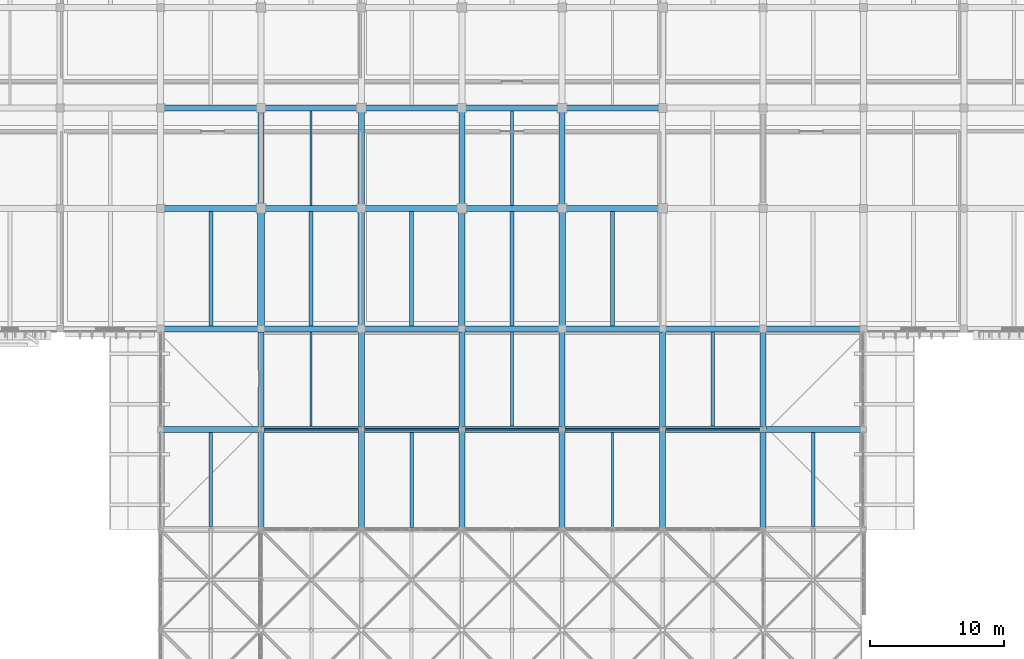
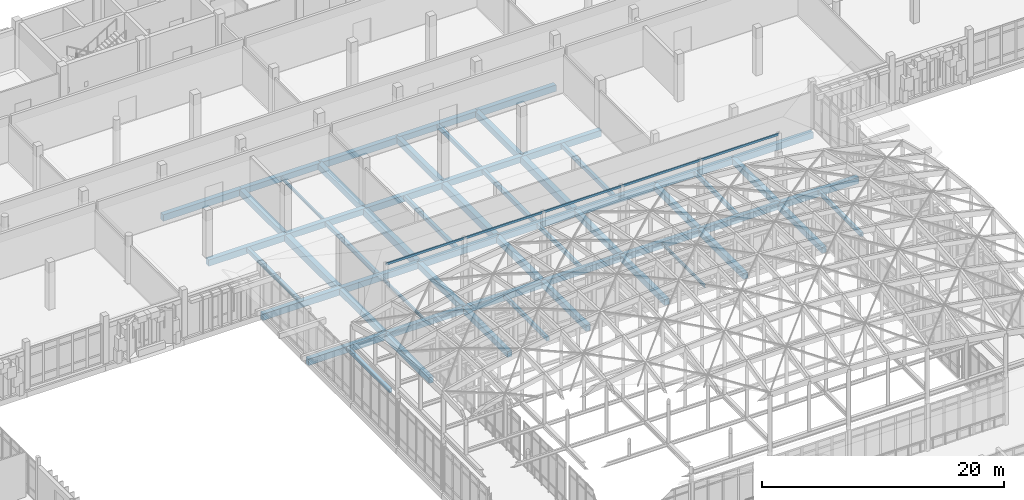
# One storey, part 58 of 131: 58 beams, 5 members.
"""IFC4 building model written with IfcOpenShell, lengths in metres."""

from ifc_helpers import new_model, si_unit, direction, frame, origin, origin_2d, place, context, subcontext, project, spatial, rectangle, hollow_rectangle, i_section, extrude, material, material_profile, profile_set, type_object, element, save


model = new_model("IFC4")

# Units and contexts
model_context = context("Model", 3, precision=1e-05, world=origin(), true_north=direction((0.0, 1.0)))
body_context = subcontext(model_context, "Body", "Model", "MODEL_VIEW")
ifc_project = project(units=[si_unit("LENGTHUNIT", "METRE"), si_unit("AREAUNIT", "SQUARE_METRE"), si_unit("VOLUMEUNIT", "CUBIC_METRE"), si_unit("PLANEANGLEUNIT", "RADIAN"), si_unit("MASSUNIT", "GRAM", prefix="KILO")], contexts=[model_context])

# Site, building, storey
site_placement = place(None, origin())
site = spatial("IfcSite", under=ifc_project, at=site_placement, CompositionType="ELEMENT")
building_placement = place(site_placement, origin())
building = spatial("IfcBuilding", under=site, at=building_placement, Name="Dalvernix Boulevard General Hospital", CompositionType="ELEMENT")
storey_placement = place(building_placement, frame((0.0, 0.0, 9.300048828125)))
storey = spatial("IfcBuildingStorey", under=building, at=storey_placement, Name="L02", CompositionType="ELEMENT", Elevation=9.300048828125)

# Beams
ifc_material_1 = material(Name="Concrete C35/45", Category="concrete")
ifc_material_profile_1 = material_profile(ifc_material_1, rectangle(XDim=0.5, YDim=0.699951171875, at=origin_2d()), Name="RCB 500x700")
ifc_profile_set_1 = profile_set([ifc_material_profile_1], Name="Concrete C35/45")
beam_type_1 = type_object("IfcBeamType", Name="BM-B-01-I", PredefinedType="BEAM", material=ifc_profile_set_1)
for number, where, z_axis, x_axis, name in (
    (1, (67.5, 76.5, -0.670166015625), (0.0, 1.0, 0.0), (-1.0, 0.0, 0.0), "L02 N-S girder 10:L-M"),
    (2, (75.0, 76.5, -0.670166015625), (0.0, 1.0, 0.0), (-1.0, 0.0, 0.0), "L02 N-S girder 11:L-M"),
    (3, (82.5, 76.5, -0.670166015625), (0.0, 1.0, 0.0), (-1.0, 0.0, 0.0), "L02 N-S girder 12:L-M"),
    (4, (90.0, 76.5, -0.670166015625), (0.0, 1.0, 0.0), (-1.0, 0.0, 0.0), "L02 N-S girder 13:L-M"),
):
    element("IfcBeam", number, at=place(storey_placement, frame(where, z_axis=z_axis, x_axis=x_axis)), inside=storey, type_object=beam_type_1, Name=name, PredefinedType="BEAM", context=body_context, shape_type="SweptSolid", body=[
        extrude(rectangle(XDim=0.5, YDim=0.699951171875, at=origin_2d()), origin(), (0.0, 0.0, 1.0), 9.0),
    ])
ifc_material_profile_2 = material_profile(ifc_material_1, rectangle(XDim=0.449951171875, YDim=0.64990234375, at=origin_2d()), Name="RCB 450x650")
ifc_profile_set_2 = profile_set([ifc_material_profile_2], Name="Concrete C35/45")
beam_type_2 = type_object("IfcBeamType", Name="BM-B-03-I", PredefinedType="BEAM", material=ifc_profile_set_2)
for number, where, z_axis, x_axis, name in (
    (5, (60.0, 69.0, -0.64501953125), (1.0, 0.0, 0.0), (0.0, 1.0, 0.0), "L02 E-W girder K:9-10"),
    (6, (75.0, 69.0, -0.64501953125), (1.0, 0.0, 0.0), (0.0, 1.0, 0.0), "L02 E-W girder K:11-12"),
    (7, (90.0, 69.0, -0.64501953125), (1.0, 0.0, 0.0), (0.0, 1.0, 0.0), "L02 E-W girder K:13-14"),
    (8, (105.0, 69.0, -0.64501953125), (1.0, 0.0, 0.0), (0.0, 1.0, 0.0), "L02 E-W girder K:15-16"),
    (9, (60.0, 76.5, -0.64501953125), (1.0, 0.0, 0.0), (0.0, 1.0, 0.0), "L02 E-W girder L:9-10"),
    (10, (75.0, 76.5, -0.64501953125), (1.0, 0.0, 0.0), (0.0, 1.0, 0.0), "L02 E-W girder L:11-12"),
    (11, (90.0, 76.5, -0.64501953125), (1.0, 0.0, 0.0), (0.0, 1.0, 0.0), "L02 E-W girder L:13-14"),
    (12, (105.0, 76.5, -0.64501953125), (1.0, 0.0, 0.0), (0.0, 1.0, 0.0), "L02 E-W girder L:15-16"),
    (13, (60.0, 85.5, -0.64501953125), (1.0, 0.0, 0.0), (0.0, 1.0, 0.0), "L02 E-W girder M:9-10"),
    (14, (75.0, 85.5, -0.64501953125), (1.0, 0.0, 0.0), (0.0, 1.0, 0.0), "L02 E-W girder M:11-12"),
    (15, (90.0, 85.5, -0.64501953125), (1.0, 0.0, 0.0), (0.0, 1.0, 0.0), "L02 E-W girder M:13-14"),
    (16, (60.0, 93.0, -0.64501953125), (1.0, 0.0, 0.0), (0.0, 1.0, 0.0), "L02 E-W girder N:9-10"),
    (17, (75.0, 93.0, -0.64501953125), (1.0, 0.0, 0.0), (0.0, 1.0, 0.0), "L02 E-W girder N:11-12"),
    (18, (90.0, 93.0, -0.64501953125), (1.0, 0.0, 0.0), (0.0, 1.0, 0.0), "L02 E-W girder N:13-14"),
):
    element("IfcBeam", number, at=place(storey_placement, frame(where, z_axis=z_axis, x_axis=x_axis)), inside=storey, type_object=beam_type_2, Name=name, PredefinedType="BEAM", context=body_context, shape_type="SweptSolid", body=[
        extrude(rectangle(XDim=0.449951171875, YDim=0.64990234375, at=origin_2d()), origin(), (0.0, 0.0, 1.0), 7.5),
    ])
ifc_material_profile_3 = material_profile(ifc_material_1, rectangle(XDim=0.449951171875, YDim=0.60009765625, at=origin_2d()), Name="RCB 450x600")
ifc_profile_set_3 = profile_set([ifc_material_profile_3], Name="Concrete C35/45")
beam_type_3 = type_object("IfcBeamType", Name="BM-B-04-I", PredefinedType="BEAM", material=ifc_profile_set_3)
for number, where, z_axis, x_axis, name in (
    (19, (67.5, 69.0, -0.6201171875), (1.0, 0.0, 0.0), (0.0, 1.0, 0.0), "L02 E-W girder K:10-11"),
    (20, (82.5, 69.0, -0.6201171875), (1.0, 0.0, 0.0), (0.0, 1.0, 0.0), "L02 E-W girder K:12-13"),
    (21, (97.5, 69.0, -0.6201171875), (1.0, 0.0, 0.0), (0.0, 1.0, 0.0), "L02 E-W girder K:14-15"),
    (22, (67.5, 76.5, -0.6201171875), (1.0, 0.0, 0.0), (0.0, 1.0, 0.0), "L02 E-W girder L:10-11"),
    (23, (82.5, 76.5, -0.6201171875), (1.0, 0.0, 0.0), (0.0, 1.0, 0.0), "L02 E-W girder L:12-13"),
    (24, (97.5, 76.5, -0.6201171875), (1.0, 0.0, 0.0), (0.0, 1.0, 0.0), "L02 E-W girder L:14-15"),
    (25, (67.5, 85.5, -0.6201171875), (1.0, 0.0, 0.0), (0.0, 1.0, 0.0), "L02 E-W girder M:10-11"),
    (26, (82.5, 85.5, -0.6201171875), (1.0, 0.0, 0.0), (0.0, 1.0, 0.0), "L02 E-W girder M:12-13"),
    (27, (67.5, 93.0, -0.6201171875), (1.0, 0.0, 0.0), (0.0, 1.0, 0.0), "L02 E-W girder N:10-11"),
    (28, (82.5, 93.0, -0.6201171875), (1.0, 0.0, 0.0), (0.0, 1.0, 0.0), "L02 E-W girder N:12-13"),
    (29, (67.5, 61.5, -0.6201171875), (0.0, 1.0, 0.0), (-1.0, 0.0, 0.0), "L02 N-S girder 10:J-K"),
    (30, (67.5, 69.0, -0.6201171875), (0.0, 1.0, 0.0), (-1.0, 0.0, 0.0), "L02 N-S girder 10:K-L"),
    (31, (67.5, 85.5, -0.6201171875), (0.0, 1.0, 0.0), (-1.0, 0.0, 0.0), "L02 N-S girder 10:M-N"),
    (32, (75.0, 61.5, -0.6201171875), (0.0, 1.0, 0.0), (-1.0, 0.0, 0.0), "L02 N-S girder 11:J-K"),
    (33, (75.0, 69.0, -0.6201171875), (0.0, 1.0, 0.0), (-1.0, 0.0, 0.0), "L02 N-S girder 11:K-L"),
    (34, (75.0, 85.5, -0.6201171875), (0.0, 1.0, 0.0), (-1.0, 0.0, 0.0), "L02 N-S girder 11:M-N"),
    (35, (82.5, 61.5, -0.6201171875), (0.0, 1.0, 0.0), (-1.0, 0.0, 0.0), "L02 N-S girder 12:J-K"),
    (36, (82.5, 69.0, -0.6201171875), (0.0, 1.0, 0.0), (-1.0, 0.0, 0.0), "L02 N-S girder 12:K-L"),
    (37, (82.5, 85.5, -0.6201171875), (0.0, 1.0, 0.0), (-1.0, 0.0, 0.0), "L02 N-S girder 12:M-N"),
    (38, (90.0, 61.5, -0.6201171875), (0.0, 1.0, 0.0), (-1.0, 0.0, 0.0), "L02 N-S girder 13:J-K"),
    (39, (90.0, 69.0, -0.6201171875), (0.0, 1.0, 0.0), (-1.0, 0.0, 0.0), "L02 N-S girder 13:K-L"),
    (40, (90.0, 85.5, -0.6201171875), (0.0, 1.0, 0.0), (-1.0, 0.0, 0.0), "L02 N-S girder 13:M-N"),
    (41, (97.5, 61.5, -0.6201171875), (0.0, 1.0, 0.0), (-1.0, 0.0, 0.0), "L02 N-S girder 14:J-K"),
    (42, (97.5, 69.0, -0.6201171875), (0.0, 1.0, 0.0), (-1.0, 0.0, 0.0), "L02 N-S girder 14:K-L"),
    (43, (105.0, 61.5, -0.6201171875), (0.0, 1.0, 0.0), (-1.0, 0.0, 0.0), "L02 N-S girder 15:J-K"),
    (44, (105.0, 69.0, -0.6201171875), (0.0, 1.0, 0.0), (-1.0, 0.0, 0.0), "L02 N-S girder 15:K-L"),
):
    element("IfcBeam", number, at=place(storey_placement, frame(where, z_axis=z_axis, x_axis=x_axis)), inside=storey, type_object=beam_type_3, Name=name, PredefinedType="BEAM", context=body_context, shape_type="SweptSolid", body=[
        extrude(rectangle(XDim=0.449951171875, YDim=0.60009765625, at=origin_2d()), origin(), (0.0, 0.0, 1.0), 7.5),
    ])
ifc_material_profile_4 = material_profile(ifc_material_1, rectangle(XDim=0.300048828125, YDim=0.39990234375, at=origin_2d()), Name="RCB 300x400")
ifc_profile_set_4 = profile_set([ifc_material_profile_4], Name="Concrete C35/45")
beam_type_4 = type_object("IfcBeamType", Name="BM-JB-01", PredefinedType="JOIST", material=ifc_profile_set_4)
for number, where, z_axis, x_axis, name in (
    (45, (63.75, 76.72509765625, -0.52001953125), (0.0, 1.0, 0.0), (-1.0, 0.0, 0.0), "L02 secondary floor beam 9-L"),
    (46, (71.25, 76.72509765625, -0.52001953125), (0.0, 1.0, 0.0), (-1.0, 0.0, 0.0), "L02 secondary floor beam 10-L"),
    (47, (78.75, 76.72509765625, -0.52001953125), (0.0, 1.0, 0.0), (-1.0, 0.0, 0.0), "L02 secondary floor beam 11-L"),
    (48, (86.25, 76.72509765625, -0.52001953125), (0.0, 1.0, 0.0), (-1.0, 0.0, 0.0), "L02 secondary floor beam 12-L"),
    (49, (93.75, 76.72509765625, -0.52001953125), (0.0, 1.0, 0.0), (-1.0, 0.0, 0.0), "L02 secondary floor beam 13-L"),
):
    element("IfcBeam", number, at=place(storey_placement, frame(where, z_axis=z_axis, x_axis=x_axis)), inside=storey, type_object=beam_type_4, Name=name, PredefinedType="JOIST", context=body_context, shape_type="SweptSolid", body=[
        extrude(rectangle(XDim=0.300048828125, YDim=0.39990234375, at=origin_2d()), origin(), (0.0, 0.0, 1.0), 8.5498046875),
    ])
ifc_material_profile_5 = material_profile(ifc_material_1, rectangle(XDim=0.25, YDim=0.39990234375, at=origin_2d()), Name="RCB 250x400")
ifc_profile_set_5 = profile_set([ifc_material_profile_5], Name="Concrete C35/45")
beam_type_5 = type_object("IfcBeamType", Name="BM-JB-02", PredefinedType="JOIST", material=ifc_profile_set_5)
beam_1_placement = place(storey_placement, frame((63.75, 61.72509765625, -0.52001953125), z_axis=(0.0, 1.0, 0.0), x_axis=(-1.0, 0.0, 0.0)))
element("IfcBeam", 50, at=beam_1_placement, inside=storey, type_object=beam_type_5, Name="L02 secondary floor beam 9-J", PredefinedType="JOIST", context=body_context, shape_type="SweptSolid", body=[
    extrude(rectangle(XDim=0.25, YDim=0.39990234375, at=origin_2d()), origin(), (0.0, 0.0, 1.0), 7.0498046875),
])
beam_2_placement = place(storey_placement, frame((78.75, 61.675048828125, -0.52001953125), z_axis=(0.0, 1.0, 0.0), x_axis=(-1.0, 0.0, 0.0)))
element("IfcBeam", 51, at=beam_2_placement, inside=storey, type_object=beam_type_5, Name="L02 secondary floor beam 11-J", PredefinedType="JOIST", context=body_context, shape_type="SweptSolid", body=[
    extrude(rectangle(XDim=0.25, YDim=0.39990234375, at=origin_2d()), origin(), (0.0, 0.0, 1.0), 7.099853515625),
])
for number, where, z_axis, x_axis, name in (
    (52, (86.25, 69.22509765625, -0.52001953125), (0.0, 1.0, 0.0), (-1.0, 0.0, 0.0), "L02 secondary floor beam 12-K"),
    (53, (86.25, 85.72509765625, -0.52001953125), (0.0, 1.0, 0.0), (-1.0, 0.0, 0.0), "L02 secondary floor beam 12-M"),
    (54, (101.25, 69.22509765625, -0.52001953125), (0.0, 1.0, 0.0), (-1.0, 0.0, 0.0), "L02 secondary floor beam 14-K"),
    (55, (108.75, 61.72509765625, -0.52001953125), (0.0, 1.0, 0.0), (-1.0, 0.0, 0.0), "L02 secondary floor beam 15-J"),
):
    element("IfcBeam", number, at=place(storey_placement, frame(where, z_axis=z_axis, x_axis=x_axis)), inside=storey, type_object=beam_type_5, Name=name, PredefinedType="JOIST", context=body_context, shape_type="SweptSolid", body=[
        extrude(rectangle(XDim=0.25, YDim=0.39990234375, at=origin_2d()), origin(), (0.0, 0.0, 1.0), 7.0498046875),
    ])
ifc_material_2 = material(Name="Steel S355", Category="steel")
ifc_material_profile_6 = material_profile(ifc_material_2, i_section(OverallWidth=0.14990234375, OverallDepth=0.300048828125, WebThickness=0.007080078125, FlangeThickness=0.0107421875, FilletRadius=0.014892578125, at=origin_2d()), Name="IPE 300")
ifc_profile_set_6 = profile_set([ifc_material_profile_6], Name="Steel S355")
beam_type_6 = type_object("IfcBeamType", Name="BM-JB-03", PredefinedType="JOIST", material=ifc_profile_set_6)
for number, where, z_axis, x_axis, name in (
    (56, (71.25, 69.22509765625, -0.469970703125), (0.0, 1.0, 0.0), (-1.0, 0.0, 0.0), "L02 secondary floor beam 10-K"),
    (57, (71.25, 85.72509765625, -0.469970703125), (0.0, 1.0, 0.0), (-1.0, 0.0, 0.0), "L02 secondary floor beam 10-M"),
):
    element("IfcBeam", number, at=place(storey_placement, frame(where, z_axis=z_axis, x_axis=x_axis)), inside=storey, type_object=beam_type_6, Name=name, PredefinedType="JOIST", context=body_context, shape_type="SweptSolid", body=[
        extrude(i_section(OverallWidth=0.14990234375, OverallDepth=0.300048828125, WebThickness=0.007080078125, FlangeThickness=0.0107421875, FilletRadius=0.014892578125, at=origin_2d()), origin(), (0.0, 0.0, 1.0), 7.0498046875),
    ])
beam_3_placement = place(storey_placement, frame((93.75, 61.675048828125, -0.469970703125), z_axis=(0.0, 1.0, 0.0), x_axis=(-1.0, 0.0, 0.0)))
element("IfcBeam", 58, at=beam_3_placement, inside=storey, type_object=beam_type_6, Name="L02 secondary floor beam 13-J", PredefinedType="JOIST", context=body_context, shape_type="SweptSolid", body=[
    extrude(i_section(OverallWidth=0.14990234375, OverallDepth=0.300048828125, WebThickness=0.007080078125, FlangeThickness=0.0107421875, FilletRadius=0.014892578125, at=origin_2d()), origin(), (0.0, 0.0, 1.0), 7.099853515625),
])

# Members
ifc_material_profile_7 = material_profile(ifc_material_2, hollow_rectangle(XDim=0.1201171875, YDim=0.199951171875, WallThickness=0.008056640625, at=origin_2d()), Name="RHS 200x120x8.0")
ifc_profile_set_7 = profile_set([ifc_material_profile_7], Name="Steel S355")
member_type = type_object("IfcMemberType", Name="MEM-PR-03", PredefinedType="PURLIN", material=ifc_profile_set_7)
for number, where, z_axis, x_axis, name in (
    (59, (67.5, 69.0, 6.521728515625), (1.0, 0.0, 0.0), (0.0, 1.0, 0.0), "V1N attic purlin 10-11:K"),
    (60, (75.0, 69.0, 6.521728515625), (1.0, 0.0, 0.0), (0.0, 1.0, 0.0), "V1N attic purlin 11-12:K"),
    (61, (82.5, 69.0, 6.521728515625), (1.0, 0.0, 0.0), (0.0, 1.0, 0.0), "V1N attic purlin 12-13:K"),
    (62, (90.0, 69.0, 6.521728515625), (1.0, 0.0, 0.0), (0.0, 1.0, 0.0), "V1N attic purlin 13-14:K"),
    (63, (97.5, 69.0, 6.521728515625), (1.0, 0.0, 0.0), (0.0, 1.0, 0.0), "V1N attic purlin 14-15:K"),
):
    element("IfcMember", number, at=place(storey_placement, frame(where, z_axis=z_axis, x_axis=x_axis)), inside=storey, type_object=member_type, Name=name, PredefinedType="PURLIN", context=body_context, shape_type="SweptSolid", body=[
        extrude(hollow_rectangle(XDim=0.1201171875, YDim=0.199951171875, WallThickness=0.008056640625, at=origin_2d()), origin(), (0.0, 0.0, 1.0), 7.5),
    ])

save(model, "model.ifc")
